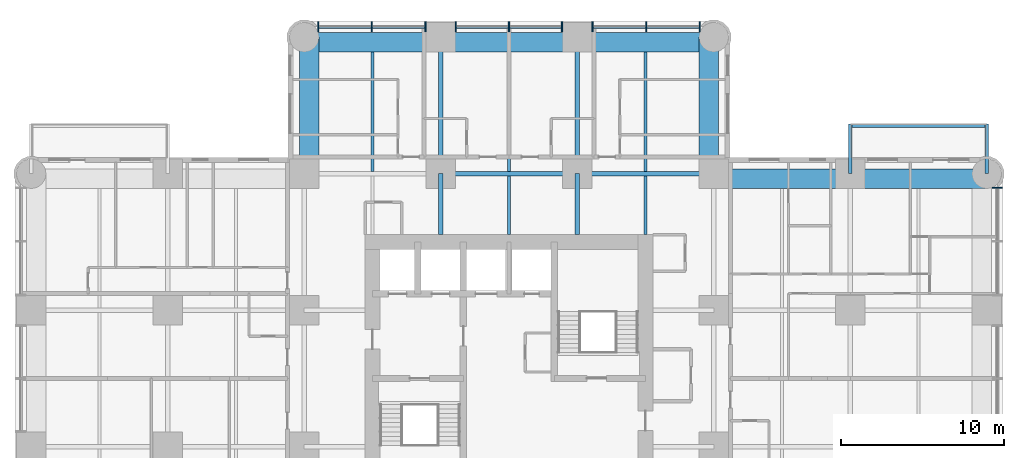
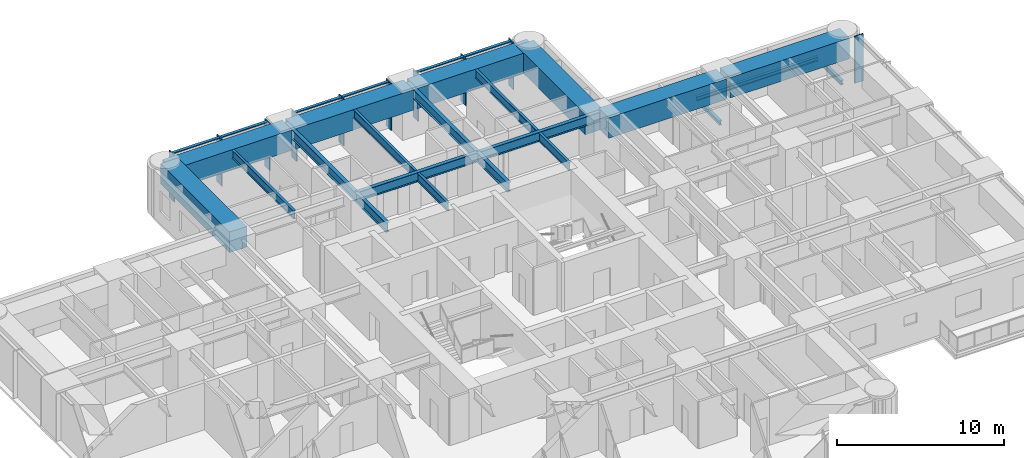
# One storey, part 4 of 14: 21 beams, 16 members, 2 elements without a shape of their own.
"""IFC4 building model written with IfcOpenShell, lengths in metres."""

from ifc_helpers import new_model, si_unit, direction, frame, origin, origin_2d, place, context, subcontext, project, spatial, rectangle, i_section, extrude, material, material_profile, profile_set, type_object, element, aggregate, save


model = new_model("IFC4")

# Units and contexts
model_context = context("Model", 3, precision=1e-05, world=origin(), true_north=direction((0.0, 1.0)))
body_context = subcontext(model_context, "Body", "Model", "MODEL_VIEW")
ifc_project = project(units=[si_unit("LENGTHUNIT", "METRE"), si_unit("AREAUNIT", "SQUARE_METRE"), si_unit("VOLUMEUNIT", "CUBIC_METRE"), si_unit("PLANEANGLEUNIT", "RADIAN"), si_unit("MASSUNIT", "GRAM", prefix="KILO")], contexts=[model_context])

# Site, building, storey
site_placement = place(None, origin())
site = spatial("IfcSite", under=ifc_project, at=site_placement, CompositionType="ELEMENT")
building_placement = place(site_placement, origin())
building = spatial("IfcBuilding", under=site, at=building_placement, Name="Torre Alcanfor", CompositionType="ELEMENT")
storey_placement = place(building_placement, frame((0.0, 0.0, 170.10009765625)))
storey = spatial("IfcBuildingStorey", under=building, at=storey_placement, Name="L44", CompositionType="ELEMENT", Elevation=170.10009765625)

# Beams
ifc_material_1 = material(Name="Steel ASTM A992 Grade 50", Category="steel")
ifc_material_profile_1 = material_profile(ifc_material_1, i_section(OverallWidth=0.205322265625, OverallDepth=0.309814453125, WebThickness=0.00927734375, FlangeThickness=0.016357421875, at=origin_2d()), Name="W12x50")
ifc_profile_set_1 = profile_set([ifc_material_profile_1], Name="Steel ASTM A992 Grade 50")
beam_type_1 = type_object("IfcBeamType", Name="Balcony cantilever beam W12x50", PredefinedType="BEAM", material=ifc_profile_set_1)
for number, where, z_axis, x_axis, name in (
    (1, (50.39990234375, 42.0, -0.35498046875), (0.0, 1.0, 0.0), (-1.0, 0.0, 0.0), "Balcony cantilever beam L44-E1 1"),
    (2, (58.800048828125, 42.0, -0.35498046875), (0.0, 1.0, 0.0), (-1.0, 0.0, 0.0), "Balcony cantilever beam L44-E1 2"),
):
    element("IfcBeam", number, at=place(storey_placement, frame(where, z_axis=z_axis, x_axis=x_axis)), inside=storey, type_object=beam_type_1, Name=name, PredefinedType="BEAM", context=body_context, shape_type="SweptSolid", body=[
        extrude(i_section(OverallWidth=0.205322265625, OverallDepth=0.309814453125, WebThickness=0.00927734375, FlangeThickness=0.016357421875, at=origin_2d()), origin(), (0.0, 0.0, 1.0), 3.050048828125),
    ])
ifc_material_2 = material(Name="Steel ASTM A992 Grade 50", Category="steel")
ifc_material_profile_2 = material_profile(ifc_material_2, i_section(OverallWidth=0.203369140625, OverallDepth=0.30224609375, WebThickness=0.007568359375, FlangeThickness=0.01318359375, at=origin_2d()), Name="W12x40")
ifc_profile_set_2 = profile_set([ifc_material_profile_2], Name="Steel ASTM A992 Grade 50")
beam_type_2 = type_object("IfcBeamType", Name="Balcony edge trimmer W12x40", PredefinedType="BEAM", material=ifc_profile_set_2)
beam_1_placement = place(storey_placement, frame((50.39990234375, 44.9482421875, -0.351318359375), z_axis=(1.0, 0.0, 0.0), x_axis=(0.0, 1.0, 0.0)))
element("IfcBeam", 3, at=beam_1_placement, inside=storey, type_object=beam_type_2, Name="Balcony edge trimmer L44-E1", PredefinedType="BEAM", context=body_context, shape_type="SweptSolid", body=[
    extrude(i_section(OverallWidth=0.203369140625, OverallDepth=0.30224609375, WebThickness=0.007568359375, FlangeThickness=0.01318359375, at=origin_2d()), origin(), (0.0, 0.0, 1.0), 8.400146484375),
])

# Curtain wall, member
ifc_material_3 = material(Name="Aluminium and glass", Category="aluminium")
curtain_wall_type = type_object("IfcCurtainWallType", Name="CW-A unitised apartment glazing with vertical FIN", PredefinedType="NOTDEFINED", material=ifc_material_3)
curtain_wall_1_placement = place(storey_placement, origin())
curtain_wall_1 = element("IfcCurtainWall", 4, at=curtain_wall_1_placement, inside=storey, type_object=curtain_wall_type, Name="Curtain wall CW-A L44 8", PredefinedType="NOTDEFINED")
ifc_material_4 = material(Name="Bronze anodised aluminium", Category="aluminium")
ifc_material_profile_3 = material_profile(ifc_material_4, rectangle(XDim=0.60009765625, YDim=0.06494140625, at=origin_2d()), Name="CW-A mullion 65x600")
ifc_profile_set_3 = profile_set([ifc_material_profile_3], Name="Bronze anodised aluminium")
member_type_1 = type_object("IfcMemberType", Name="CW-A mullion with vertical FIN 65x600", PredefinedType="MULLION", material=ifc_profile_set_3)
member_1_placement = place(storey_placement, frame((59.449951171875, 41.133056640625, 0.0), z_axis=(0.0, 0.0, 1.0), x_axis=(-1.0, 0.0, 0.0)))
member_1 = element("IfcMember", 5, at=member_1_placement, type_object=member_type_1, Name="CW-A mullion 3.3", PredefinedType="MULLION", context=body_context, shape_type="SweptSolid", body=[
    extrude(rectangle(XDim=0.60009765625, YDim=0.06494140625, at=origin_2d()), origin(), (0.0, 0.0, 1.0), 3.449951171875),
])
aggregate(curtain_wall_1, [member_1])

# Curtain wall, members
curtain_wall_2_placement = place(storey_placement, origin())
curtain_wall_2 = element("IfcCurtainWall", 6, at=curtain_wall_2_placement, inside=storey, type_object=curtain_wall_type, Name="Curtain wall CW-A L44 11", PredefinedType="NOTDEFINED")
member_2_placement = place(storey_placement, frame((41.133056640625, 51.050048828125, 0.0), z_axis=(0.0, 0.0, 1.0), x_axis=(0.0, -1.0, 0.0)))
member_2 = element("IfcMember", 7, at=member_2_placement, type_object=member_type_1, Name="CW-A mullion 1.1", PredefinedType="MULLION", context=body_context, shape_type="SweptSolid", body=[
    extrude(rectangle(XDim=0.60009765625, YDim=0.06494140625, at=origin_2d()), origin(), (0.0, 0.0, 1.0), 3.449951171875),
])
member_3_placement = place(storey_placement, frame((37.835205078125, 51.050048828125, 0.0), z_axis=(0.0, 0.0, 1.0), x_axis=(0.0, -1.0, 0.0)))
member_3 = element("IfcMember", 8, at=member_3_placement, type_object=member_type_1, Name="CW-A mullion 1.2", PredefinedType="MULLION", context=body_context, shape_type="SweptSolid", body=[
    extrude(rectangle(XDim=0.60009765625, YDim=0.06494140625, at=origin_2d()), origin(), (0.0, 0.0, 1.0), 3.449951171875),
])
member_4_placement = place(storey_placement, frame((34.53759765625, 51.050048828125, 0.0), z_axis=(0.0, 0.0, 1.0), x_axis=(0.0, -1.0, 0.0)))
member_4 = element("IfcMember", 9, at=member_4_placement, type_object=member_type_1, Name="CW-A mullion 1.3", PredefinedType="MULLION", context=body_context, shape_type="SweptSolid", body=[
    extrude(rectangle(XDim=0.60009765625, YDim=0.06494140625, at=origin_2d()), origin(), (0.0, 0.0, 1.0), 3.449951171875),
])
member_5_placement = place(storey_placement, frame((32.66259765625, 51.050048828125, 0.0), z_axis=(0.0, 0.0, 1.0), x_axis=(0.0, -1.0, 0.0)))
member_5 = element("IfcMember", 10, at=member_5_placement, type_object=member_type_1, Name="CW-A mullion 2.1", PredefinedType="MULLION", context=body_context, shape_type="SweptSolid", body=[
    extrude(rectangle(XDim=0.60009765625, YDim=0.06494140625, at=origin_2d()), origin(), (0.0, 0.0, 1.0), 3.449951171875),
])
member_6_placement = place(storey_placement, frame((29.39990234375, 51.050048828125, 0.0), z_axis=(0.0, 0.0, 1.0), x_axis=(0.0, -1.0, 0.0)))
member_6 = element("IfcMember", 11, at=member_6_placement, type_object=member_type_1, Name="CW-A mullion 2.2", PredefinedType="MULLION", context=body_context, shape_type="SweptSolid", body=[
    extrude(rectangle(XDim=0.60009765625, YDim=0.06494140625, at=origin_2d()), origin(), (0.0, 0.0, 1.0), 3.449951171875),
])
member_7_placement = place(storey_placement, frame((26.137451171875, 51.050048828125, 0.0), z_axis=(0.0, 0.0, 1.0), x_axis=(0.0, -1.0, 0.0)))
member_7 = element("IfcMember", 12, at=member_7_placement, type_object=member_type_1, Name="CW-A mullion 2.3", PredefinedType="MULLION", context=body_context, shape_type="SweptSolid", body=[
    extrude(rectangle(XDim=0.60009765625, YDim=0.06494140625, at=origin_2d()), origin(), (0.0, 0.0, 1.0), 3.449951171875),
])
member_8_placement = place(storey_placement, frame((24.262451171875, 51.050048828125, 0.0), z_axis=(0.0, 0.0, 1.0), x_axis=(0.0, -1.0, 0.0)))
member_8 = element("IfcMember", 13, at=member_8_placement, type_object=member_type_1, Name="CW-A mullion 3.1", PredefinedType="MULLION", context=body_context, shape_type="SweptSolid", body=[
    extrude(rectangle(XDim=0.60009765625, YDim=0.06494140625, at=origin_2d()), origin(), (0.0, 0.0, 1.0), 3.449951171875),
])
member_9_placement = place(storey_placement, frame((20.96484375, 51.050048828125, 0.0), z_axis=(0.0, 0.0, 1.0), x_axis=(0.0, -1.0, 0.0)))
member_9 = element("IfcMember", 14, at=member_9_placement, type_object=member_type_1, Name="CW-A mullion 3.2", PredefinedType="MULLION", context=body_context, shape_type="SweptSolid", body=[
    extrude(rectangle(XDim=0.60009765625, YDim=0.06494140625, at=origin_2d()), origin(), (0.0, 0.0, 1.0), 3.449951171875),
])
member_10_placement = place(storey_placement, frame((17.6669921875, 51.050048828125, 0.0), z_axis=(0.0, 0.0, 1.0), x_axis=(0.0, -1.0, 0.0)))
member_10 = element("IfcMember", 15, at=member_10_placement, type_object=member_type_1, Name="CW-A mullion 3.3", PredefinedType="MULLION", context=body_context, shape_type="SweptSolid", body=[
    extrude(rectangle(XDim=0.60009765625, YDim=0.06494140625, at=origin_2d()), origin(), (0.0, 0.0, 1.0), 3.449951171875),
])
ifc_material_5 = material(Name="Extruded aluminium", Category="aluminium")
ifc_material_profile_4 = material_profile(ifc_material_5, rectangle(XDim=0.199951171875, YDim=0.06494140625, at=origin_2d()), Name="CW-A transom 200x65")
ifc_profile_set_4 = profile_set([ifc_material_profile_4], Name="Extruded aluminium")
member_type_2 = type_object("IfcMemberType", Name="CW-A transom 65x200", PredefinedType="USERDEFINED", material=ifc_profile_set_4)
member_11_placement = place(storey_placement, frame((41.1005859375, 51.050048828125, 3.41748046875), z_axis=(-1.0, 0.0, 0.0), x_axis=(0.0, -1.0, 0.0)))
member_11 = element("IfcMember", 16, at=member_11_placement, type_object=member_type_2, Name="CW-A transom 1.1.2", ObjectType="TRANSOM", PredefinedType="USERDEFINED", context=body_context, shape_type="SweptSolid", body=[
    extrude(rectangle(XDim=0.199951171875, YDim=0.06494140625, at=origin_2d()), origin(), (0.0, 0.0, 1.0), 3.23291015625),
])
member_12_placement = place(storey_placement, frame((37.802734375, 51.050048828125, 3.41748046875), z_axis=(-1.0, 0.0, 0.0), x_axis=(0.0, -1.0, 0.0)))
member_12 = element("IfcMember", 17, at=member_12_placement, type_object=member_type_2, Name="CW-A transom 1.2.2", ObjectType="TRANSOM", PredefinedType="USERDEFINED", context=body_context, shape_type="SweptSolid", body=[
    extrude(rectangle(XDim=0.199951171875, YDim=0.06494140625, at=origin_2d()), origin(), (0.0, 0.0, 1.0), 3.232666015625),
])
member_13_placement = place(storey_placement, frame((32.6298828125, 51.050048828125, 3.41748046875), z_axis=(-1.0, 0.0, 0.0), x_axis=(0.0, -1.0, 0.0)))
member_13 = element("IfcMember", 18, at=member_13_placement, type_object=member_type_2, Name="CW-A transom 2.1.2", ObjectType="TRANSOM", PredefinedType="USERDEFINED", context=body_context, shape_type="SweptSolid", body=[
    extrude(rectangle(XDim=0.199951171875, YDim=0.06494140625, at=origin_2d()), origin(), (0.0, 0.0, 1.0), 3.197265625),
])
member_14_placement = place(storey_placement, frame((29.367431640625, 51.050048828125, 3.41748046875), z_axis=(-1.0, 0.0, 0.0), x_axis=(0.0, -1.0, 0.0)))
member_14 = element("IfcMember", 19, at=member_14_placement, type_object=member_type_2, Name="CW-A transom 2.2.2", ObjectType="TRANSOM", PredefinedType="USERDEFINED", context=body_context, shape_type="SweptSolid", body=[
    extrude(rectangle(XDim=0.199951171875, YDim=0.06494140625, at=origin_2d()), origin(), (0.0, 0.0, 1.0), 3.197509765625),
])
member_15_placement = place(storey_placement, frame((24.22998046875, 51.050048828125, 3.41748046875), z_axis=(-1.0, 0.0, 0.0), x_axis=(0.0, -1.0, 0.0)))
member_15 = element("IfcMember", 20, at=member_15_placement, type_object=member_type_2, Name="CW-A transom 3.1.2", ObjectType="TRANSOM", PredefinedType="USERDEFINED", context=body_context, shape_type="SweptSolid", body=[
    extrude(rectangle(XDim=0.199951171875, YDim=0.06494140625, at=origin_2d()), origin(), (0.0, 0.0, 1.0), 3.232666015625),
])
member_16_placement = place(storey_placement, frame((20.93212890625, 51.050048828125, 3.41748046875), z_axis=(-1.0, 0.0, 0.0), x_axis=(0.0, -1.0, 0.0)))
member_16 = element("IfcMember", 21, at=member_16_placement, type_object=member_type_2, Name="CW-A transom 3.2.2", ObjectType="TRANSOM", PredefinedType="USERDEFINED", context=body_context, shape_type="SweptSolid", body=[
    extrude(rectangle(XDim=0.199951171875, YDim=0.06494140625, at=origin_2d()), origin(), (0.0, 0.0, 1.0), 3.232666015625),
])
aggregate(curtain_wall_2, [member_2, member_3, member_4, member_11, member_12, member_5, member_6, member_7, member_13, member_14, member_8, member_9, member_10, member_15, member_16])

# Beams
ifc_material_6 = material(Name="Steel ASTM A992 Grade 50", Category="steel")
ifc_material_profile_5 = material_profile(ifc_material_6, i_section(OverallWidth=0.25390625, OverallDepth=0.683349609375, WebThickness=0.012451171875, FlangeThickness=0.01904296875, at=origin_2d()), Name="W27x94")
ifc_profile_set_5 = profile_set([ifc_material_profile_5], Name="Steel ASTM A992 Grade 50")
beam_type_3 = type_object("IfcBeamType", Name="Girder W27x94", PredefinedType="BEAM", material=ifc_profile_set_5)
beam_2_placement = place(storey_placement, frame((25.199951171875, 42.0, 3.108154296875), z_axis=(1.0, 0.0, 0.0), x_axis=(0.0, 1.0, 0.0)))
element("IfcBeam", 22, at=beam_2_placement, inside=storey, type_object=beam_type_3, Name="Beam 4H-5H under L45", PredefinedType="BEAM", context=body_context, shape_type="SweptSolid", body=[
    extrude(i_section(OverallWidth=0.25390625, OverallDepth=0.683349609375, WebThickness=0.012451171875, FlangeThickness=0.01904296875, at=origin_2d()), origin(), (0.0, 0.0, 1.0), 8.400146484375),
])
for number, where, z_axis, x_axis, name in (
    (23, (33.60009765625, 42.0, 3.108154296875), (1.0, 0.0, 0.0), (0.0, 1.0, 0.0), "Beam 5H-6H under L45"),
    (24, (25.199951171875, 42.0, 3.108154296875), (0.0, 1.0, 0.0), (-1.0, 0.0, 0.0), "Beam 4H-4J under L45"),
    (25, (33.60009765625, 42.0, 3.108154296875), (0.0, 1.0, 0.0), (-1.0, 0.0, 0.0), "Beam 5H-5J under L45"),
):
    element("IfcBeam", number, at=place(storey_placement, frame(where, z_axis=z_axis, x_axis=x_axis)), inside=storey, type_object=beam_type_3, Name=name, PredefinedType="BEAM", context=body_context, shape_type="SweptSolid", body=[
        extrude(i_section(OverallWidth=0.25390625, OverallDepth=0.683349609375, WebThickness=0.012451171875, FlangeThickness=0.01904296875, at=origin_2d()), origin(), (0.0, 0.0, 1.0), 8.39990234375),
    ])
ifc_material_7 = material(Name="Steel ASTM A992 Grade 50", Category="steel")
ifc_material_profile_6 = material_profile(ifc_material_7, i_section(OverallWidth=0.25390625, OverallDepth=0.683349609375, WebThickness=0.012451171875, FlangeThickness=0.01904296875, at=origin_2d()), Name="W27x94")
ifc_profile_set_6 = profile_set([ifc_material_profile_6], Name="Steel ASTM A992 Grade 50")
beam_type_4 = type_object("IfcBeamType", Name="Girder, part bay W27x94", PredefinedType="BEAM", material=ifc_profile_set_6)
for number, where, z_axis, x_axis, name in (
    (26, (25.199951171875, 42.0, 3.108154296875), (0.0, -1.0, 0.0), (1.0, 0.0, 0.0), "Beam 4H-438_25 under L45"),
    (27, (33.60009765625, 42.0, 3.108154296875), (0.0, -1.0, 0.0), (1.0, 0.0, 0.0), "Beam 5H-538_25 under L45"),
):
    element("IfcBeam", number, at=place(storey_placement, frame(where, z_axis=z_axis, x_axis=x_axis)), inside=storey, type_object=beam_type_4, Name=name, PredefinedType="BEAM", context=body_context, shape_type="SweptSolid", body=[
        extrude(i_section(OverallWidth=0.25390625, OverallDepth=0.683349609375, WebThickness=0.012451171875, FlangeThickness=0.01904296875, at=origin_2d()), origin(), (0.0, 0.0, 1.0), 3.75),
    ])
ifc_material_8 = material(Name="Concrete f'c 70 MPa", Category="concrete")
ifc_material_profile_7 = material_profile(ifc_material_8, rectangle(XDim=1.199951171875, YDim=1.5, at=origin_2d()), Name="1200x1500")
ifc_profile_set_7 = profile_set([ifc_material_profile_7], Name="Concrete f'c 70 MPa")
beam_type_5 = type_object("IfcBeamType", Name="RC perimeter beam 1200x1500", PredefinedType="BEAM", material=ifc_profile_set_7)
beam_3_placement = place(storey_placement, frame((42.126953125, 41.699951171875, 2.699951171875), z_axis=(1.0, 0.0, 0.0), x_axis=(0.0, 1.0, 0.0)))
element("IfcBeam", 28, at=beam_3_placement, inside=storey, type_object=beam_type_5, Name="Beam 6H-7H under L45", PredefinedType="BEAM", context=body_context, shape_type="SweptSolid", body=[
    extrude(rectangle(XDim=1.199951171875, YDim=1.5, at=origin_2d()), origin(), (0.0, 0.0, 1.0), 8.14599609375),
])
for number, where, z_axis, x_axis, name in (
    (29, (50.527099609375, 41.699951171875, 2.699951171875), (1.0, 0.0, 0.0), (0.0, 1.0, 0.0), "Beam 7H-8H under L45"),
    (30, (16.800048828125, 50.10009765625, 2.699951171875), (1.0, 0.0, 0.0), (0.0, 1.0, 0.0), "Beam 3J-4J under L45"),
):
    element("IfcBeam", number, at=place(storey_placement, frame(where, z_axis=z_axis, x_axis=x_axis)), inside=storey, type_object=beam_type_5, Name=name, PredefinedType="BEAM", context=body_context, shape_type="SweptSolid", body=[
        extrude(rectangle(XDim=1.199951171875, YDim=1.5, at=origin_2d()), origin(), (0.0, 0.0, 1.0), 8.27294921875),
    ])
beam_4_placement = place(storey_placement, frame((25.326904296875, 50.10009765625, 2.699951171875), z_axis=(1.0, 0.0, 0.0), x_axis=(0.0, 1.0, 0.0)))
element("IfcBeam", 31, at=beam_4_placement, inside=storey, type_object=beam_type_5, Name="Beam 4J-5J under L45", PredefinedType="BEAM", context=body_context, shape_type="SweptSolid", body=[
    extrude(rectangle(XDim=1.199951171875, YDim=1.5, at=origin_2d()), origin(), (0.0, 0.0, 1.0), 8.14599609375),
])
for number, where, z_axis, x_axis, name in (
    (32, (33.72705078125, 50.10009765625, 2.699951171875), (1.0, 0.0, 0.0), (0.0, 1.0, 0.0), "Beam 5J-6J under L45"),
    (33, (17.10009765625, 42.126953125, 2.699951171875), (0.0, 1.0, 0.0), (-1.0, 0.0, 0.0), "Beam 3H-3J under L45"),
    (34, (41.699951171875, 42.126953125, 2.699951171875), (0.0, 1.0, 0.0), (-1.0, 0.0, 0.0), "Beam 6H-6J under L45"),
):
    element("IfcBeam", number, at=place(storey_placement, frame(where, z_axis=z_axis, x_axis=x_axis)), inside=storey, type_object=beam_type_5, Name=name, PredefinedType="BEAM", context=body_context, shape_type="SweptSolid", body=[
        extrude(rectangle(XDim=1.199951171875, YDim=1.5, at=origin_2d()), origin(), (0.0, 0.0, 1.0), 8.27294921875),
    ])
ifc_material_9 = material(Name="Steel ASTM A992 Grade 50", Category="steel")
ifc_material_profile_8 = material_profile(ifc_material_9, i_section(OverallWidth=0.1787109375, OverallDepth=0.60205078125, WebThickness=0.010986328125, FlangeThickness=0.014892578125, at=origin_2d()), Name="W24x62")
ifc_profile_set_8 = profile_set([ifc_material_profile_8], Name="Steel ASTM A992 Grade 50")
beam_type_6 = type_object("IfcBeamType", Name="Secondary beam W24x62", PredefinedType="BEAM", material=ifc_profile_set_8)
for number, where, z_axis, x_axis, name in (
    (35, (21.0, 42.126953125, 3.14892578125), (0.0, 1.0, 0.0), (-1.0, 0.0, 0.0), "Beam 21H-21J under L45"),
    (36, (29.39990234375, 42.126953125, 3.14892578125), (0.0, 1.0, 0.0), (-1.0, 0.0, 0.0), "Beam 29_4H-29_4J under L45"),
    (37, (37.800048828125, 42.126953125, 3.14892578125), (0.0, 1.0, 0.0), (-1.0, 0.0, 0.0), "Beam 37_8H-37_8J under L45"),
):
    element("IfcBeam", number, at=place(storey_placement, frame(where, z_axis=z_axis, x_axis=x_axis)), inside=storey, type_object=beam_type_6, Name=name, PredefinedType="BEAM", context=body_context, shape_type="SweptSolid", body=[
        extrude(i_section(OverallWidth=0.1787109375, OverallDepth=0.60205078125, WebThickness=0.010986328125, FlangeThickness=0.014892578125, at=origin_2d()), origin(), (0.0, 0.0, 1.0), 7.373046875),
    ])
ifc_material_10 = material(Name="Steel ASTM A992 Grade 50", Category="steel")
ifc_material_profile_9 = material_profile(ifc_material_10, i_section(OverallWidth=0.1787109375, OverallDepth=0.60205078125, WebThickness=0.010986328125, FlangeThickness=0.014892578125, at=origin_2d()), Name="W24x62")
ifc_profile_set_9 = profile_set([ifc_material_profile_9], Name="Steel ASTM A992 Grade 50")
beam_type_7 = type_object("IfcBeamType", Name="Secondary beam, part bay W24x62", PredefinedType="BEAM", material=ifc_profile_set_9)
for number, where, z_axis, x_axis, name in (
    (38, (29.39990234375, 38.25, 3.14892578125), (0.0, 1.0, 0.0), (-1.0, 0.0, 0.0), "Beam 29_438_25-29_4H under L45"),
    (39, (37.800048828125, 38.25, 3.14892578125), (0.0, 1.0, 0.0), (-1.0, 0.0, 0.0), "Beam 37_838_25-37_8H under L45"),
):
    element("IfcBeam", number, at=place(storey_placement, frame(where, z_axis=z_axis, x_axis=x_axis)), inside=storey, type_object=beam_type_7, Name=name, PredefinedType="BEAM", context=body_context, shape_type="SweptSolid", body=[
        extrude(i_section(OverallWidth=0.1787109375, OverallDepth=0.60205078125, WebThickness=0.010986328125, FlangeThickness=0.014892578125, at=origin_2d()), origin(), (0.0, 0.0, 1.0), 3.623046875),
    ])

save(model, "model.ifc")
